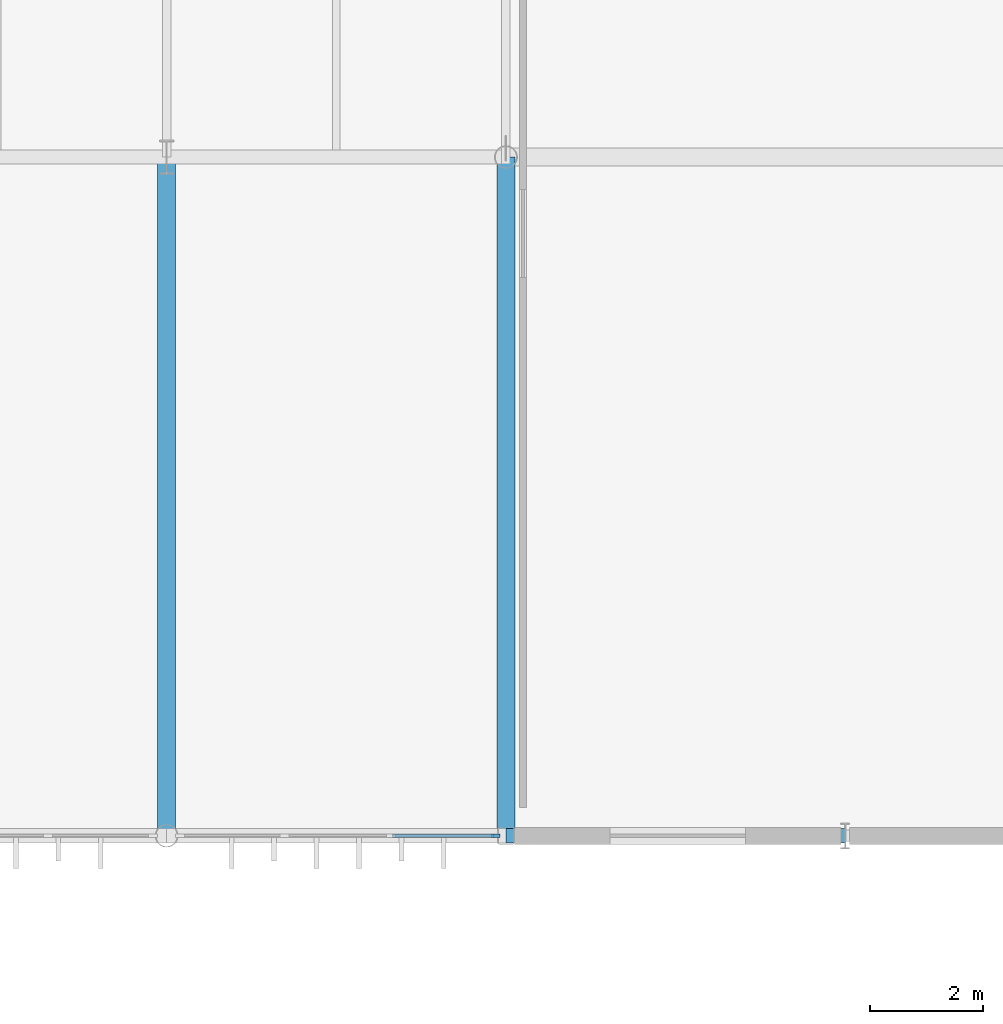
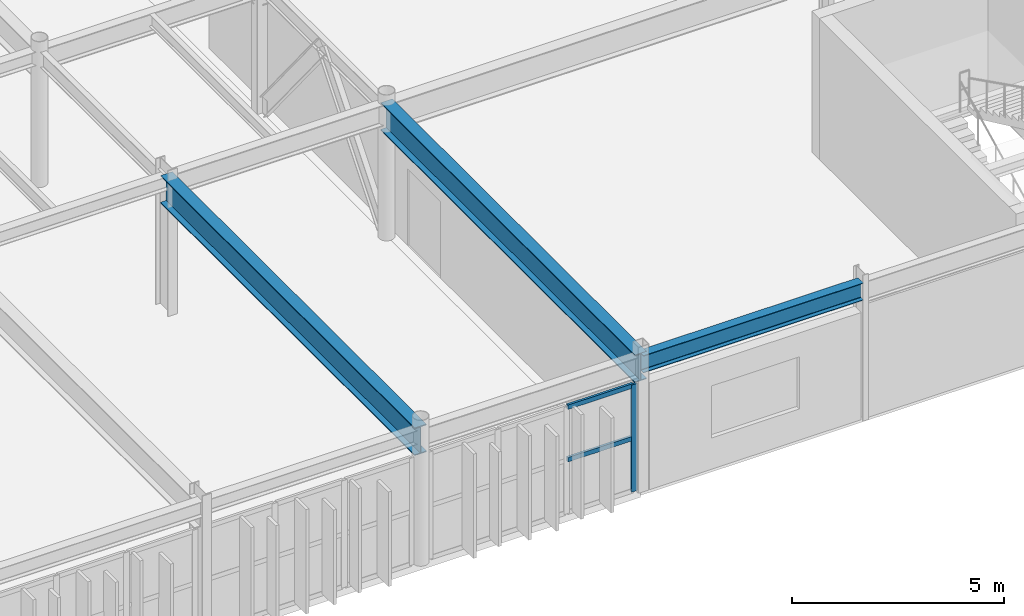
# One storey, part 68 of 116: 3 beams, 3 members, 1 element without a shape of its own.
"""IFC4 building model written with IfcOpenShell, lengths in metres."""

from ifc_helpers import new_model, si_unit, direction, frame, origin, origin_2d, place, context, subcontext, project, spatial, rectangle, i_section, extrude, material, material_profile, profile_set, type_object, element, aggregate, save


model = new_model("IFC4")

# Units and contexts
model_context = context("Model", 3, precision=1e-05, world=origin(), true_north=direction((0.0, 1.0)))
body_context = subcontext(model_context, "Body", "Model", "MODEL_VIEW")
ifc_project = project(units=[si_unit("LENGTHUNIT", "METRE"), si_unit("AREAUNIT", "SQUARE_METRE"), si_unit("VOLUMEUNIT", "CUBIC_METRE"), si_unit("PLANEANGLEUNIT", "RADIAN"), si_unit("MASSUNIT", "GRAM", prefix="KILO")], contexts=[model_context])

# Site, building, storey
site_placement = place(None, origin())
site = spatial("IfcSite", under=ifc_project, at=site_placement, CompositionType="ELEMENT")
building_placement = place(site_placement, origin())
building = spatial("IfcBuilding", under=site, at=building_placement, Name="Varnakota Square Police Headquarters", CompositionType="ELEMENT")
storey_placement = place(building_placement, frame((0.0, 0.0, 9.300048828125)))
storey = spatial("IfcBuildingStorey", under=building, at=storey_placement, Name="L02", CompositionType="ELEMENT", Elevation=9.300048828125)

# Beams
ifc_material_1 = material(Name="Steel IS 2062 Grade 350", Category="steel")
ifc_material_profile_1 = material_profile(ifc_material_1, i_section(OverallWidth=0.320068359375, OverallDepth=0.800048828125, WebThickness=0.01611328125, FlangeThickness=0.028076171875, at=origin_2d()), Name="BPG 800x320")
ifc_profile_set_1 = profile_set([ifc_material_profile_1], Name="Steel IS 2062 Grade 350")
beam_type_1 = type_object("IfcBeamType", Name="BM-BPG800", PredefinedType="BEAM", material=ifc_profile_set_1)
for number, where, z_axis, x_axis, name in (
    (1, (90.0, 69.0, 3.5), (0.0, 1.0, 0.0), (-1.0, 0.0, 0.0), "BMG-L02-2223"),
    (2, (96.0, 69.0, 3.5), (0.0, 1.0, 0.0), (-1.0, 0.0, 0.0), "BMG-L02-2226"),
):
    element("IfcBeam", number, at=place(storey_placement, frame(where, z_axis=z_axis, x_axis=x_axis)), inside=storey, type_object=beam_type_1, Name=name, PredefinedType="BEAM", context=body_context, shape_type="SweptSolid", body=[
        extrude(i_section(OverallWidth=0.320068359375, OverallDepth=0.800048828125, WebThickness=0.01611328125, FlangeThickness=0.028076171875, at=origin_2d()), origin(), (0.0, 0.0, 1.0), 12.0),
    ])
ifc_material_profile_2 = material_profile(ifc_material_1, i_section(OverallWidth=0.25, OverallDepth=0.5, WebThickness=0.010009765625, FlangeThickness=0.0146484375, FilletRadius=0.014892578125, at=origin_2d()), Name="ISWB 500")
ifc_profile_set_2 = profile_set([ifc_material_profile_2], Name="Steel IS 2062 Grade 350")
beam_type_2 = type_object("IfcBeamType", Name="BM-ISWB500", PredefinedType="BEAM", material=ifc_profile_set_2)
beam_placement = place(storey_placement, frame((96.0, 69.0, 3.64990234375), z_axis=(1.0, 0.0, 0.0), x_axis=(0.0, 1.0, 0.0)))
element("IfcBeam", 3, at=beam_placement, inside=storey, type_object=beam_type_2, Name="BMG-L02-2020", PredefinedType="BEAM", context=body_context, shape_type="SweptSolid", body=[
    extrude(i_section(OverallWidth=0.25, OverallDepth=0.5, WebThickness=0.010009765625, FlangeThickness=0.0146484375, FilletRadius=0.014892578125, at=origin_2d()), origin(), (0.0, 0.0, 1.0), 6.0),
])

# Curtain wall, members
ifc_material_2 = material(Name="Anodised Aluminium Framing", Category="aluminium")
curtain_wall_type = type_object("IfcCurtainWallType", Name="CW-SYS-B", PredefinedType="NOTDEFINED", material=ifc_material_2)
curtain_wall_placement = place(storey_placement, origin())
curtain_wall = element("IfcCurtainWall", 4, at=curtain_wall_placement, inside=storey, type_object=curtain_wall_type, Name="Unitised curtain wall CWG-L02-240", PredefinedType="NOTDEFINED")
ifc_material_3 = material(Name="Anodised Aluminium 6063-T6", Category="aluminium")
ifc_material_profile_3 = material_profile(ifc_material_3, rectangle(XDim=0.06494140625, YDim=0.159912109375, at=origin_2d()), Name="ALU MULLION 65x160")
ifc_profile_set_3 = profile_set([ifc_material_profile_3], Name="Anodised Aluminium 6063-T6")
member_type_1 = type_object("IfcMemberType", Name="CWM-150", PredefinedType="MULLION", material=ifc_profile_set_3)
member_1_placement = place(storey_placement, frame((95.8125, 69.0, 0.0), z_axis=(0.0, 0.0, 1.0), x_axis=(0.0, 1.0, 0.0)))
member_1 = element("IfcMember", 5, at=member_1_placement, type_object=member_type_1, Name="CWG-L02-240 mullion 4", PredefinedType="MULLION", context=body_context, shape_type="SweptSolid", body=[
    extrude(rectangle(XDim=0.06494140625, YDim=0.159912109375, at=origin_2d()), origin(), (0.0, 0.0, 1.0), 3.08984375),
])
ifc_material_profile_4 = material_profile(ifc_material_3, rectangle(XDim=0.06494140625, YDim=0.1298828125, at=origin_2d()), Name="ALU TRANSOM 65x130")
ifc_profile_set_4 = profile_set([ifc_material_profile_4], Name="Anodised Aluminium 6063-T6")
member_type_2 = type_object("IfcMemberType", Name="CWT-120", PredefinedType="USERDEFINED", material=ifc_profile_set_4)
member_2_placement = place(storey_placement, frame((93.99853515625, 69.0, 1.544921875), z_axis=(1.0, 0.0, 0.0), x_axis=(0.0, 1.0, 0.0)))
member_2 = element("IfcMember", 6, at=member_2_placement, type_object=member_type_2, Name="CWG-L02-240 transom 3.2", ObjectType="TRANSOM", PredefinedType="USERDEFINED", context=body_context, shape_type="SweptSolid", body=[
    extrude(rectangle(XDim=0.06494140625, YDim=0.1298828125, at=origin_2d()), origin(), (0.0, 0.0, 1.0), 1.781494140625),
])
member_3_placement = place(storey_placement, frame((93.99853515625, 69.0, 3.057373046875), z_axis=(1.0, 0.0, 0.0), x_axis=(0.0, 1.0, 0.0)))
member_3 = element("IfcMember", 7, at=member_3_placement, type_object=member_type_2, Name="CWG-L02-240 transom 3.3", ObjectType="TRANSOM", PredefinedType="USERDEFINED", context=body_context, shape_type="SweptSolid", body=[
    extrude(rectangle(XDim=0.06494140625, YDim=0.1298828125, at=origin_2d()), origin(), (0.0, 0.0, 1.0), 1.781494140625),
])
aggregate(curtain_wall, [member_1, member_2, member_3])

save(model, "model.ifc")
